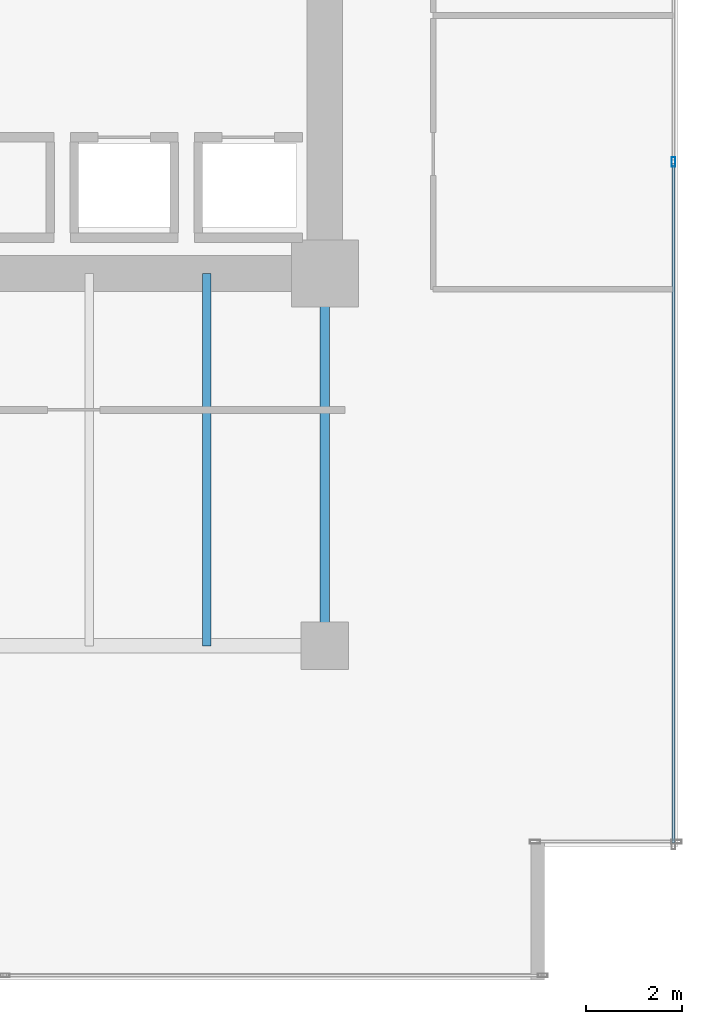
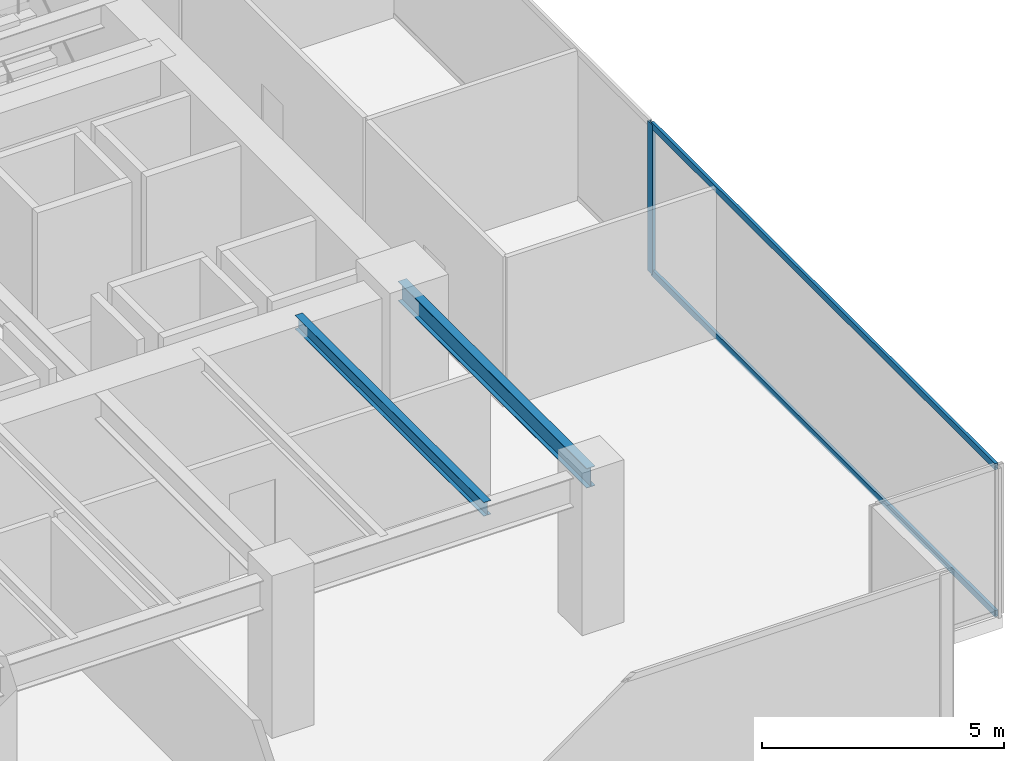
# One storey, part 24 of 35: 3 members, 2 beams, 1 element without a shape of its own.
"""IFC4 building model written with IfcOpenShell, lengths in metres."""

from ifc_helpers import new_model, si_unit, direction, frame, origin, origin_2d, place, context, subcontext, project, spatial, hollow_rectangle, i_section, extrude, source, transform, mapped, material, layer, layer_set, material_profile, profile_set, type_object, type_shapes, element, aggregate, save


model = new_model("IFC4")

# Units and contexts
model_context = context("Model", 3, precision=1e-05, world=origin(), true_north=direction((0.0, 1.0)))
body_context = subcontext(model_context, "Body", "Model", "MODEL_VIEW")
ifc_project = project(units=[si_unit("LENGTHUNIT", "METRE"), si_unit("AREAUNIT", "SQUARE_METRE"), si_unit("VOLUMEUNIT", "CUBIC_METRE"), si_unit("PLANEANGLEUNIT", "RADIAN"), si_unit("MASSUNIT", "GRAM", prefix="KILO")], contexts=[model_context])

# Site, building, storey
site_placement = place(None, origin())
site = spatial("IfcSite", under=ifc_project, at=site_placement, CompositionType="ELEMENT")
building_placement = place(site_placement, origin())
building = spatial("IfcBuilding", under=site, at=building_placement, Name="Haelvirn Gate Laboratories", CompositionType="ELEMENT")
storey_placement = place(building_placement, frame((0.0, 0.0, 86.699951171875)))
storey = spatial("IfcBuildingStorey", under=building, at=storey_placement, Name="L21", CompositionType="ELEMENT", Elevation=86.699951171875)

# Beams
ifc_material_1 = material(Name="Steel SM355", Category="steel")
ifc_material_profile_1 = material_profile(ifc_material_1, i_section(OverallWidth=0.199951171875, OverallDepth=0.5, WebThickness=0.010009765625, FlangeThickness=0.01611328125, at=origin_2d()), Name="H-500x200x10x16")
ifc_profile_set_1 = profile_set([ifc_material_profile_1], Name="Steel SM355")
beam_type_1 = type_object("IfcBeamType", Name="BM-SP-500", PredefinedType="SPANDREL", material=ifc_profile_set_1)
shared_shape_1 = source(origin(), body_context, "Body", "SweptSolid", [
    extrude(i_section(OverallWidth=0.199951171875, OverallDepth=0.5, WebThickness=0.010009765625, FlangeThickness=0.01611328125, at=origin_2d()), origin(), (0.0, 0.0, 1.0), 7.800048828125),
])
type_shapes(beam_type_1, [shared_shape_1])
beam_1_placement = place(storey_placement, frame((67.39990234375, 7.0, 3.530029296875), z_axis=(0.0, 1.0, 0.0), x_axis=(-1.0, 0.0, 0.0)))
element("IfcBeam", 1, at=beam_1_placement, inside=storey, type_object=beam_type_1, Name="L21 Perimeter Spandrel X67.4 (7.0-14.8)", PredefinedType="SPANDREL", context=body_context, shape_type="MappedRepresentation", body=[
    mapped(shared_shape_1, transform((0.0, 0.0, 0.0), scale=1.0)),
])
ifc_material_profile_2 = material_profile(ifc_material_1, i_section(OverallWidth=0.175048828125, OverallDepth=0.35009765625, WebThickness=0.007080078125, FlangeThickness=0.010986328125, at=origin_2d()), Name="H-350x175x7x11")
ifc_profile_set_2 = profile_set([ifc_material_profile_2], Name="Steel SM355")
beam_type_2 = type_object("IfcBeamType", Name="BM-J-350", PredefinedType="JOIST", material=ifc_profile_set_2)
shared_shape_2 = source(origin(), body_context, "Body", "SweptSolid", [
    extrude(i_section(OverallWidth=0.175048828125, OverallDepth=0.35009765625, WebThickness=0.007080078125, FlangeThickness=0.010986328125, at=origin_2d()), origin(), (0.0, 0.0, 1.0), 7.800048828125),
])
type_shapes(beam_type_2, [shared_shape_2])
beam_2_placement = place(storey_placement, frame((64.929931640625, 7.0, 3.60498046875), z_axis=(0.0, 1.0, 0.0), x_axis=(-1.0, 0.0, 0.0)))
element("IfcBeam", 2, at=beam_2_placement, inside=storey, type_object=beam_type_2, Name="L21 Composite Lab Joist South X64.93", PredefinedType="JOIST", context=body_context, shape_type="MappedRepresentation", body=[
    mapped(shared_shape_2, transform((0.0, 0.0, 0.0), scale=1.0)),
])

# Curtain wall, members
ifc_material_2 = material(Name="Anodised bronze unitised aluminium & triple low-E glass", Category="aluminium")
ifc_layer = layer(ifc_material_2, 0.18408203125, Name="CW-SYS-2")
ifc_layer_set = layer_set([ifc_layer], Name="Anodised bronze unitised aluminium & triple low-E glass")
curtain_wall_type = type_object("IfcCurtainWallType", Name="CW-SYS-2", PredefinedType="NOTDEFINED", material=ifc_layer_set)
curtain_wall_placement = place(storey_placement, origin())
curtain_wall = element("IfcCurtainWall", 3, at=curtain_wall_placement, inside=storey, type_object=curtain_wall_type, Name="L21 Unitised Curtain Wall CW-L21-P0-E07", PredefinedType="NOTDEFINED")
ifc_material_3 = material(Name="Extruded aluminium 6063-T6 (anodised bronze)", Category="aluminium")
ifc_material_profile_3 = material_profile(ifc_material_3, hollow_rectangle(XDim=0.074951171875, YDim=0.199951171875, WallThickness=0.0048828125, at=origin_2d()), Name="CWM-200x75x5")
ifc_profile_set_3 = profile_set([ifc_material_profile_3], Name="Extruded aluminium 6063-T6 (anodised bronze)")
member_type_1 = type_object("IfcMemberType", Name="CWM-T200", PredefinedType="MULLION", material=ifc_profile_set_3)
shared_shape_3 = source(origin(), body_context, "Body", "SweptSolid", [
    extrude(hollow_rectangle(XDim=0.074951171875, YDim=0.199951171875, WallThickness=0.0048828125, at=origin_2d()), origin(), (0.0, 0.0, 1.0), 3.780029296875),
])
type_shapes(member_type_1, [shared_shape_3])
member_1_placement = place(storey_placement, frame((74.699951171875, 17.13330078125, 0.0), z_axis=(0.0, 0.0, 1.0), x_axis=(-1.0, 0.0, 0.0)))
member_1 = element("IfcMember", 4, at=member_1_placement, type_object=member_type_1, Name="CW2 mullion 2", PredefinedType="MULLION", context=body_context, shape_type="MappedRepresentation", body=[
    mapped(shared_shape_3, transform((0.0, 0.0, 0.0), scale=1.0)),
])
ifc_material_profile_4 = material_profile(ifc_material_3, hollow_rectangle(XDim=0.070068359375, YDim=0.159912109375, WallThickness=0.0048828125, at=origin_2d()), Name="CWT-160x70x5")
ifc_profile_set_4 = profile_set([ifc_material_profile_4], Name="Extruded aluminium 6063-T6 (anodised bronze)")
member_type_2 = type_object("IfcMemberType", Name="CWT-T160", PredefinedType="USERDEFINED", material=ifc_profile_set_4)
shared_shape_4 = source(origin(), body_context, "Body", "SweptSolid", [
    extrude(hollow_rectangle(XDim=0.070068359375, YDim=0.159912109375, WallThickness=0.0048828125, at=origin_2d()), origin(), (0.0, 0.0, 1.0), 14.220947265625),
])
type_shapes(member_type_2, [shared_shape_4])
member_2_placement = place(storey_placement, frame((74.699951171875, 2.875, 0.03515625), z_axis=(0.0, 1.0, 0.0), x_axis=(-1.0, 0.0, 0.0)))
member_2 = element("IfcMember", 5, at=member_2_placement, type_object=member_type_2, Name="CW2 transom 1.1", ObjectType="TRANSOM", PredefinedType="USERDEFINED", context=body_context, shape_type="MappedRepresentation", body=[
    mapped(shared_shape_4, transform((0.0, 0.0, 0.0), scale=1.0)),
])
member_3_placement = place(storey_placement, frame((74.699951171875, 2.875, 3.7451171875), z_axis=(0.0, 1.0, 0.0), x_axis=(-1.0, 0.0, 0.0)))
member_3 = element("IfcMember", 6, at=member_3_placement, type_object=member_type_2, Name="CW2 transom 1.2", ObjectType="TRANSOM", PredefinedType="USERDEFINED", context=body_context, shape_type="MappedRepresentation", body=[
    mapped(shared_shape_4, transform((0.0, 0.0, 0.0), scale=1.0)),
])
aggregate(curtain_wall, [member_1, member_2, member_3])

save(model, "model.ifc")
